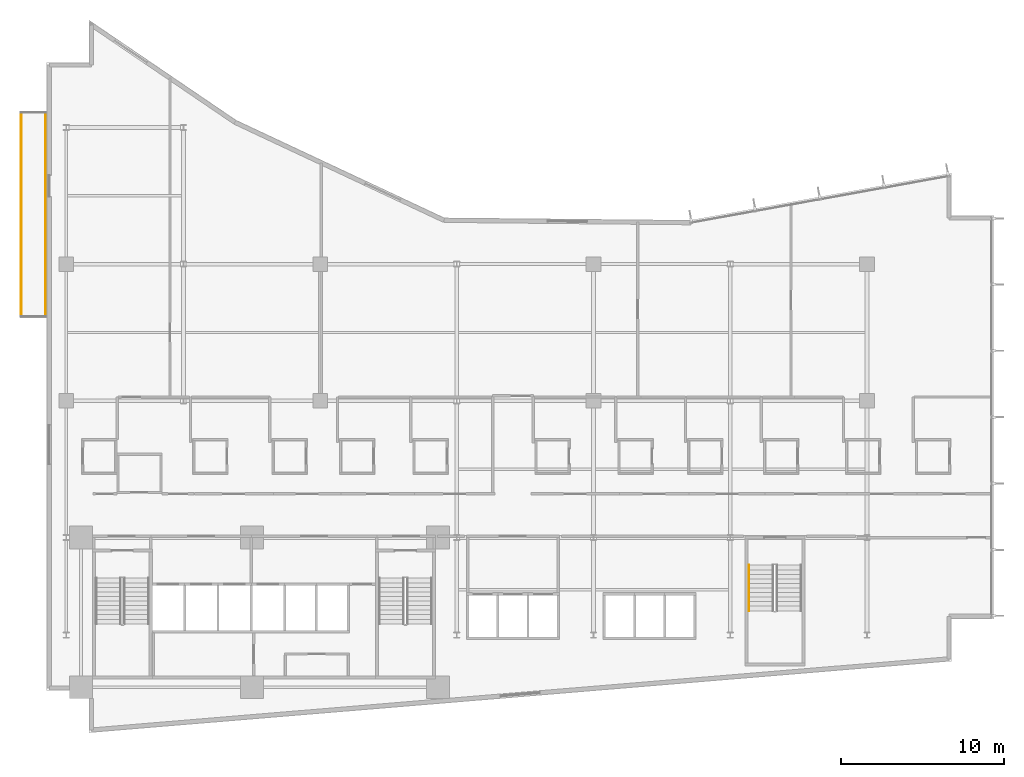
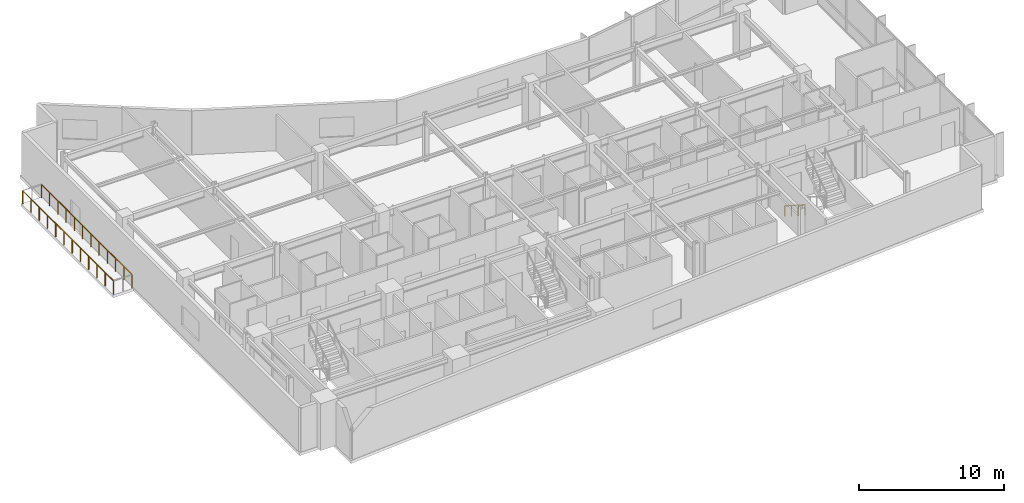
# One storey, part 18 of 21: 3 railings.
"""IFC4 building model written with IfcOpenShell, lengths in metres."""

import ifcopenshell
import ifcopenshell.guid

model = None  # the IFC model being written
_history = None  # IfcOwnerHistory: only IFC2X3 demands one
_inside = {}  # id of a spatial element -> (the spatial element, [elements in it])
_under = {}  # id of a project, library or spatial element -> (it, [spatial elements below it])
_declared = {}  # id of a project -> (the project, [libraries it declares])
_typed = {}  # id of a type object -> (the type object, [elements of that type])
_made_of = {}  # id of a material, layer set ... -> (it, [elements and type objects made of it])


def new_model(schema):
    """Start an empty IFC model of exactly this schema.

    Asked for "IFC4X3", IfcOpenShell would pick the latest addendum, in which some entities
    have other attributes; the version numbers below select the first issue.
    IFC2X3 requires an IfcOwnerHistory on every rooted entity: one is made here for all.
    """
    global model, _history
    if schema == "IFC4X3":
        model = ifcopenshell.file(schema_version=(4, 3, 0, 0))
    else:
        model = ifcopenshell.file(schema=schema)
    _inside.clear()
    _under.clear()
    _declared.clear()
    _typed.clear()
    _made_of.clear()
    _history = None
    if model.schema == "IFC2X3":
        org = make("IfcOrganization", Name="unknown")
        user = make(
            "IfcPersonAndOrganization",
            ThePerson=make("IfcPerson", FamilyName="unknown"),
            TheOrganization=org,
        )
        app = make(
            "IfcApplication",
            ApplicationDeveloper=org,
            Version="unknown",
            ApplicationFullName="unknown",
            ApplicationIdentifier="unknown",
        )
        _history = make(
            "IfcOwnerHistory",
            OwningUser=user,
            OwningApplication=app,
            ChangeAction="ADDED",
            CreationDate=0,
        )
    return model


def make(cls, **values):
    """One entity of the class cls with the attributes given. An attribute that is None is left unset."""
    return model.create_entity(
        cls, **{name: value for name, value in values.items() if value is not None}
    )


def rooted(cls, **values):
    """An entity with a GlobalId (a new one), such as an element, a storey or a relation."""
    return make(cls, GlobalId=ifcopenshell.guid.new(), OwnerHistory=_history, **values)


def si_unit(unit_type, name, prefix=None):
    """IfcSIUnit, for example si_unit("LENGTHUNIT", "METRE", prefix="MILLI")."""
    return make("IfcSIUnit", UnitType=unit_type, Prefix=prefix, Name=name)


def assignment(units):
    """IfcUnitAssignment: the units of a project."""
    return None if units is None else make("IfcUnitAssignment", Units=units)


def point(xyz):
    """IfcCartesianPoint."""
    return None if xyz is None else make("IfcCartesianPoint", Coordinates=xyz)


def direction(xyz):
    """IfcDirection."""
    return None if xyz is None else make("IfcDirection", DirectionRatios=xyz)


def frame(location, z_axis=None, x_axis=None):
    """IfcAxis2Placement3D, a coordinate frame: its origin and axes. An axis left out is left unset."""
    return make(
        "IfcAxis2Placement3D",
        Location=point(location),
        Axis=direction(z_axis),
        RefDirection=direction(x_axis),
    )


def frame_2d(location, x_axis=None):
    """IfcAxis2Placement2D, a coordinate frame in the plane: its origin and x axis."""
    return make(
        "IfcAxis2Placement2D", Location=point(location), RefDirection=direction(x_axis)
    )


def origin():
    """The frame at (0, 0, 0) with its axes left unset."""
    return frame((0.0, 0.0, 0.0))


def origin_2d():
    """The frame at (0, 0) in the plane with its x axis left unset."""
    return frame_2d((0.0, 0.0))


def place(relative_to, where):
    """IfcLocalPlacement: puts the frame where relative to a parent placement (None: the world)."""
    return make(
        "IfcLocalPlacement", PlacementRelTo=relative_to, RelativePlacement=where
    )


def context(
    kind, dimensions, precision=None, world=None, true_north=None, identifier=None
):
    """IfcGeometricRepresentationContext, for example the 3D "Model" context."""
    return make(
        "IfcGeometricRepresentationContext",
        ContextIdentifier=identifier,
        ContextType=kind,
        CoordinateSpaceDimension=dimensions,
        Precision=precision,
        WorldCoordinateSystem=world,
        TrueNorth=true_north,
    )


def subcontext(parent, identifier, kind, view, scale=None):
    """IfcGeometricRepresentationSubContext, for example "Body" below "Model"."""
    return make(
        "IfcGeometricRepresentationSubContext",
        ContextIdentifier=identifier,
        ContextType=kind,
        ParentContext=parent,
        TargetScale=scale,
        TargetView=view,
    )


def project(units=None, contexts=None):
    """IfcProject with its units and contexts."""
    return rooted(
        "IfcProject",
        Name="project",
        RepresentationContexts=contexts,
        UnitsInContext=assignment(units),
    )


def spatial(cls, under=None, at=None, **own):
    """A site, building, storey or space (cls), placed at a placement, below another one or the project."""
    s = rooted(cls, ObjectPlacement=at, **own)
    if under is not None:
        _under.setdefault(under.id(), (under, []))[1].append(s)
    return s


def profile(cls, at=None, kind="AREA", **sizes):
    """A parametric profile (cls). Its sizes go by their IFC names, for example OverallWidth=200.0."""
    return make(cls, ProfileType=kind, Position=at, **sizes)


def circle(**sizes):
    """IfcCircleProfileDef."""
    return profile("IfcCircleProfileDef", **sizes)


def extrude(swept, where, along, depth):
    """IfcExtrudedAreaSolid: the profile swept, set in the frame where, extruded along a direction by depth."""
    return make(
        "IfcExtrudedAreaSolid",
        SweptArea=swept,
        Position=where,
        ExtrudedDirection=direction(along),
        Depth=depth,
    )


def shape(context_of_items, identifier, shape_type, items):
    """IfcShapeRepresentation: the items that make up one representation, for example the "Body"."""
    return make(
        "IfcShapeRepresentation",
        ContextOfItems=context_of_items,
        RepresentationIdentifier=identifier,
        RepresentationType=shape_type,
        Items=items,
    )


def material(Name=None, Category=None):
    """IfcMaterial."""
    return make("IfcMaterial", Name=Name, Category=Category)


def made_of(thing, what):
    """Note that an element or type object is made of a material, layer set ...; save() writes the relation."""
    if what is not None:
        _made_of.setdefault(what.id(), (what, []))[1].append(thing)
    return thing


def type_object(cls, material=None, **own):
    """A type object (cls), such as IfcWallType, which elements share."""
    return made_of(rooted(cls, **own), material)


def element(
    cls,
    number,
    at=None,
    inside=None,
    cuts=None,
    type_object=None,
    material=None,
    context=None,
    identifier="Body",
    shape_type=None,
    held_by="IfcProductDefinitionShape",
    body=None,
    shapes=None,
    **own,
):
    """One element of the class cls, such as IfcWall. Its Tag is "e" and its number.

    at: its placement. inside: the storey or other place that contains it. cuts: it is an
    opening in that element (IfcRelVoidsElement). A single representation is given by context,
    identifier, shape_type and body (its items); several are given by shapes. held_by: the class
    of the entity that holds the representations. save() writes the other relations.
    """
    e = rooted(cls, Tag="e%d" % number, ObjectPlacement=at, **own)
    if body is not None:
        shapes = [shape(context, identifier, shape_type, body)]
    if shapes is not None:
        e.Representation = make(held_by, Representations=shapes)
    if inside is not None:
        _inside.setdefault(inside.id(), (inside, []))[1].append(e)
    if cuts is not None:
        rooted(
            "IfcRelVoidsElement", RelatingBuildingElement=cuts, RelatedOpeningElement=e
        )
    if type_object is not None:
        _typed.setdefault(type_object.id(), (type_object, []))[1].append(e)
    return made_of(e, material)


def aggregate(whole, parts):
    """IfcRelAggregates: a whole, such as a stair, and the parts it consists of."""
    return rooted("IfcRelAggregates", RelatingObject=whole, RelatedObjects=parts)


def save(model, path):
    """Write the relations noted so far, then the file.

    IfcRelAggregates (storeys below a building ...), IfcRelContainedInSpatialStructure (elements
    in a storey), IfcRelDefinesByType, IfcRelAssociatesMaterial and IfcRelDeclares: one each for
    every whole, place, type object, material and project.
    """
    for whole, parts in _under.values():
        aggregate(whole, parts)
    for where, things in _inside.values():
        rooted(
            "IfcRelContainedInSpatialStructure",
            RelatedElements=things,
            RelatingStructure=where,
        )
    for kind, things in _typed.values():
        rooted("IfcRelDefinesByType", RelatedObjects=things, RelatingType=kind)
    for what, things in _made_of.values():
        rooted("IfcRelAssociatesMaterial", RelatedObjects=things, RelatingMaterial=what)
    for by, libraries in _declared.values():
        rooted("IfcRelDeclares", RelatingContext=by, RelatedDefinitions=libraries)
    model.write(path)


model = new_model("IFC4")

# Units and contexts
model_context = context("Model", 3, precision=1e-05, world=origin(), true_north=direction((0.0, 1.0)))
body_context = subcontext(model_context, "Body", "Model", "MODEL_VIEW")
ifc_project = project(units=[si_unit("LENGTHUNIT", "METRE"), si_unit("AREAUNIT", "SQUARE_METRE"), si_unit("VOLUMEUNIT", "CUBIC_METRE"), si_unit("PLANEANGLEUNIT", "RADIAN"), si_unit("MASSUNIT", "GRAM", prefix="KILO")], contexts=[model_context])

# Site, building, storey
site_placement = place(None, origin())
site = spatial("IfcSite", under=ifc_project, at=site_placement, CompositionType="ELEMENT")
building_placement = place(site_placement, origin())
building = spatial("IfcBuilding", under=site, at=building_placement, Name="Varnakote Quay Hospital", CompositionType="ELEMENT")
storey_placement = place(building_placement, frame((0.0, 0.0, 38.300048828125)))
storey = spatial("IfcBuildingStorey", under=building, at=storey_placement, Name="L09", CompositionType="ELEMENT", Elevation=38.300048828125)

# Railings
ifc_material_1 = material(Name="Anodised aluminium 6063-T6 Bronze", Category="aluminium")
railing_type_1 = type_object("IfcRailingType", Name="RLG-EXT-GUARD-1150", PredefinedType="GUARDRAIL", material=ifc_material_1)
railing_1_placement = place(storey_placement, frame((-1.56005859375, 25.580078125, 0.0)))
element("IfcRailing", 1, at=railing_1_placement, inside=storey, type_object=railing_type_1, Name="L09 Zigzag Prow Healing Terrace Safety Guard", PredefinedType="GUARDRAIL", context=body_context, shape_type="SweptSolid", body=[
    extrude(circle(Radius=0.02392578125, at=origin_2d()), frame((0.0, 0.0, 1.1259765625), z_axis=(0.0, 1.0, 0.0), x_axis=(-1.0, 0.0, 0.0)), (0.0, 0.0, 1.0), 12.5400390625),
    extrude(circle(Radius=0.02099609375, at=origin_2d()), origin(), (0.0, 0.0, 1.0), 1.101806640625),
    extrude(circle(Radius=0.02099609375, at=origin_2d()), frame((0.0, 1.139892578125, 0.0)), (0.0, 0.0, 1.0), 1.101806640625),
    extrude(circle(Radius=0.02099609375, at=origin_2d()), frame((0.0, 2.280029296875, 0.0)), (0.0, 0.0, 1.0), 1.101806640625),
    extrude(circle(Radius=0.02099609375, at=origin_2d()), frame((0.0, 3.419921875, 0.0)), (0.0, 0.0, 1.0), 1.101806640625),
    extrude(circle(Radius=0.02099609375, at=origin_2d()), frame((0.0, 4.56005859375, 0.0)), (0.0, 0.0, 1.0), 1.101806640625),
    extrude(circle(Radius=0.02099609375, at=origin_2d()), frame((0.0, 5.699951171875, 0.0)), (0.0, 0.0, 1.0), 1.101806640625),
    extrude(circle(Radius=0.02099609375, at=origin_2d()), frame((0.0, 6.840087890625, 0.0)), (0.0, 0.0, 1.0), 1.101806640625),
    extrude(circle(Radius=0.02099609375, at=origin_2d()), frame((0.0, 7.97998046875, 0.0)), (0.0, 0.0, 1.0), 1.101806640625),
    extrude(circle(Radius=0.02099609375, at=origin_2d()), frame((0.0, 9.1201171875, 0.0)), (0.0, 0.0, 1.0), 1.101806640625),
    extrude(circle(Radius=0.02099609375, at=origin_2d()), frame((0.0, 10.260009765625, 0.0)), (0.0, 0.0, 1.0), 1.101806640625),
    extrude(circle(Radius=0.02099609375, at=origin_2d()), frame((0.0, 11.400146484375, 0.0)), (0.0, 0.0, 1.0), 1.101806640625),
    extrude(circle(Radius=0.02099609375, at=origin_2d()), frame((0.0, 12.5400390625, 0.0)), (0.0, 0.0, 1.0), 1.101806640625),
])
railing_2_placement = place(storey_placement, frame((-0.075927734375, 38.1201171875, 0.0)))
element("IfcRailing", 2, at=railing_2_placement, inside=storey, type_object=railing_type_1, Name="L09 Zigzag Prow Healing Terrace Safety Guard", PredefinedType="GUARDRAIL", context=body_context, shape_type="SweptSolid", body=[
    extrude(circle(Radius=0.02392578125, at=origin_2d()), frame((0.0, 0.0, 1.1259765625), z_axis=(0.0, -1.0, 0.0), x_axis=(1.0, 0.0, 0.0)), (0.0, 0.0, 1.0), 12.5400390625),
    extrude(circle(Radius=0.02099609375, at=origin_2d()), origin(), (0.0, 0.0, 1.0), 1.101806640625),
    extrude(circle(Radius=0.02099609375, at=origin_2d()), frame((0.0, -1.139892578125, 0.0)), (0.0, 0.0, 1.0), 1.101806640625),
    extrude(circle(Radius=0.02099609375, at=origin_2d()), frame((0.0, -2.280029296875, 0.0)), (0.0, 0.0, 1.0), 1.101806640625),
    extrude(circle(Radius=0.02099609375, at=origin_2d()), frame((0.0, -3.419921875, 0.0)), (0.0, 0.0, 1.0), 1.101806640625),
    extrude(circle(Radius=0.02099609375, at=origin_2d()), frame((0.0, -4.56005859375, 0.0)), (0.0, 0.0, 1.0), 1.101806640625),
    extrude(circle(Radius=0.02099609375, at=origin_2d()), frame((0.0, -5.699951171875, 0.0)), (0.0, 0.0, 1.0), 1.101806640625),
    extrude(circle(Radius=0.02099609375, at=origin_2d()), frame((0.0, -6.840087890625, 0.0)), (0.0, 0.0, 1.0), 1.101806640625),
    extrude(circle(Radius=0.02099609375, at=origin_2d()), frame((0.0, -7.97998046875, 0.0)), (0.0, 0.0, 1.0), 1.101806640625),
    extrude(circle(Radius=0.02099609375, at=origin_2d()), frame((0.0, -9.1201171875, 0.0)), (0.0, 0.0, 1.0), 1.101806640625),
    extrude(circle(Radius=0.02099609375, at=origin_2d()), frame((0.0, -10.260009765625, 0.0)), (0.0, 0.0, 1.0), 1.101806640625),
    extrude(circle(Radius=0.02099609375, at=origin_2d()), frame((0.0, -11.400146484375, 0.0)), (0.0, 0.0, 1.0), 1.101806640625),
    extrude(circle(Radius=0.02099609375, at=origin_2d()), frame((0.0, -12.5400390625, 0.0)), (0.0, 0.0, 1.0), 1.101806640625),
])
ifc_material_2 = material(Name="Brushed stainless steel handrail", Category="steel")
railing_type_2 = type_object("IfcRailingType", Name="RLG-STAIR-HND-920", PredefinedType="HANDRAIL", material=ifc_material_2)
railing_3_placement = place(storey_placement, frame((43.14990234375, 10.300048828125, 0.179443359375)))
element("IfcRailing", 3, at=railing_3_placement, inside=storey, type_object=railing_type_2, Name="L09 ST-03 stair handrail 1", PredefinedType="HANDRAIL", context=body_context, shape_type="SweptSolid", body=[
    extrude(circle(Radius=0.02392578125, at=origin_2d()), frame((0.0, 0.0, 0.8759765625), z_axis=(0.0, -0.841809871826, 0.539774156196), x_axis=(1.0, 0.0, 0.0)), (0.0, 0.0, 1.0), 3.326171875),
    extrude(circle(Radius=0.02099609375, at=origin_2d()), origin(), (0.0, 0.0, 1.0), 0.851806640625),
    extrude(circle(Radius=0.02099609375, at=origin_2d()), frame((0.0, -0.933349609375, 0.598388671875)), (0.0, 0.0, 1.0), 0.851806640625),
    extrude(circle(Radius=0.02099609375, at=origin_2d()), frame((0.0, -1.86669921875, 1.197021484375)), (0.0, 0.0, 1.0), 0.851806640625),
    extrude(circle(Radius=0.02099609375, at=origin_2d()), frame((0.0, -2.800048828125, 1.79541015625)), (0.0, 0.0, 1.0), 0.851806640625),
])

save(model, "model.ifc")
